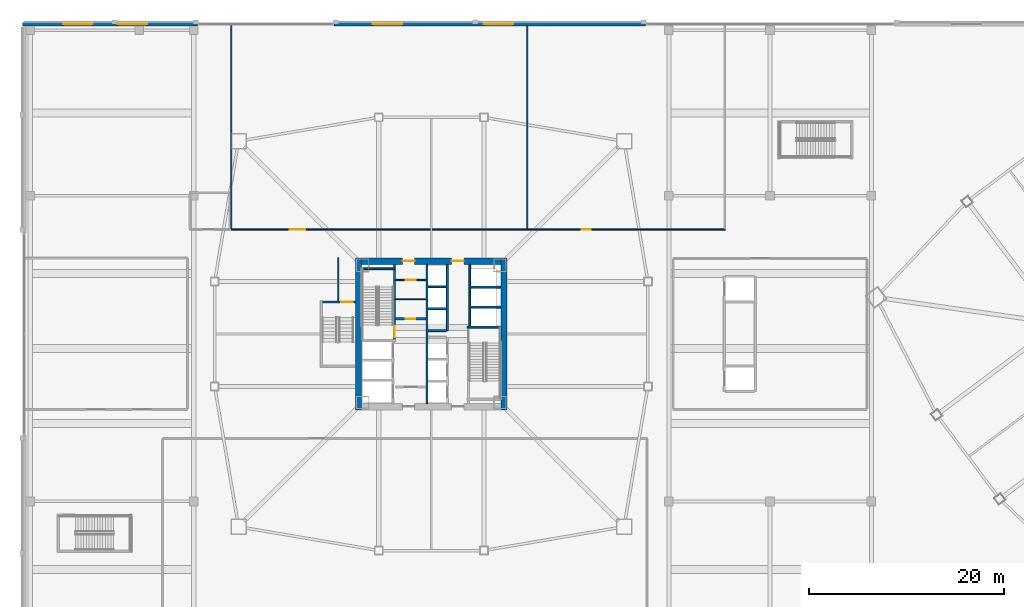
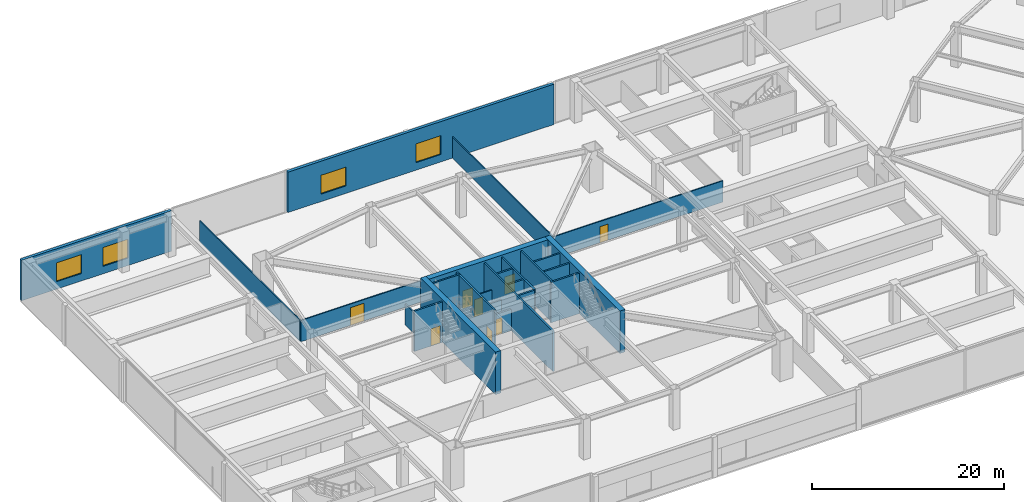
# One storey, part 35 of 48: 24 walls, 8 doors, 4 windows, 12 openings.
"""IFC4 building model written with IfcOpenShell, lengths in metres."""

from ifc_helpers import new_model, si_unit, direction, frame, frame_2d, origin, place, context, subcontext, project, spatial, rectangle, extrude, material, layer, layer_set, type_object, element, fill, save


model = new_model("IFC4")

# Units and contexts
model_context = context("Model", 3, precision=1e-05, world=origin(), true_north=direction((0.0, 1.0)))
body_context = subcontext(model_context, "Body", "Model", "MODEL_VIEW")
ifc_project = project(units=[si_unit("LENGTHUNIT", "METRE"), si_unit("AREAUNIT", "SQUARE_METRE"), si_unit("VOLUMEUNIT", "CUBIC_METRE"), si_unit("PLANEANGLEUNIT", "RADIAN"), si_unit("MASSUNIT", "GRAM", prefix="KILO")], contexts=[model_context])

# Site, building, storey
site_placement = place(None, origin())
site = spatial("IfcSite", under=ifc_project, at=site_placement, CompositionType="ELEMENT")
building_placement = place(site_placement, origin())
building = spatial("IfcBuilding", under=site, at=building_placement, Name="Tashvorn Skyway Center", CompositionType="ELEMENT")
storey_placement = place(building_placement, frame((0.0, 0.0, 10.199951171875)))
storey = spatial("IfcBuildingStorey", under=building, at=storey_placement, Name="L02", CompositionType="ELEMENT", Elevation=10.199951171875)

# Walls
ifc_material_1 = material(Name="Concrete C60/75", Category="concrete")
ifc_layer_1 = layer(ifc_material_1, 0.64990234375)
ifc_layer_set_1 = layer_set([ifc_layer_1], Name="Concrete C60/75")
wall_type_1 = type_object("IfcWallType", Name="WALL-CORE-650", PredefinedType="SHEAR", material=ifc_layer_set_1)
for number, where, z_axis, x_axis, name in (
    (1, (34.52490234375, 24.199951171875, 0.0), (0.0, 0.0, 1.0), (0.0, 1.0, 0.0), "Tower 1 L02 West Core Shear Wall"),
    (2, (49.47509765625, 39.800048828125, 0.0), (0.0, 0.0, 1.0), (0.0, -1.0, 0.0), "Tower 1 L02 East Core Shear Wall"),
):
    element("IfcWall", number, at=place(storey_placement, frame(where, z_axis=z_axis, x_axis=x_axis)), inside=storey, type_object=wall_type_1, Name=name, PredefinedType="SHEAR", context=body_context, shape_type="SweptSolid", body=[
        extrude(rectangle(XDim=15.60009765625, YDim=0.64990234375, at=frame_2d((7.800048828125, 0.0))), origin(), (0.0, 0.0, 1.0), 5.400146484375),
    ])

# Wall, openings, doors
wall_1_placement = place(storey_placement, frame((34.85009765625, 39.47509765625, 0.0), z_axis=(0.0, 0.0, 1.0), x_axis=(1.0, 0.0, 0.0)))
wall_1 = element("IfcWall", 3, at=wall_1_placement, inside=storey, type_object=wall_type_1, Name="Tower 1 L02 North Core Shear Wall", PredefinedType="SHEAR", context=body_context, shape_type="SweptSolid", body=[
    extrude(rectangle(XDim=14.2998046875, YDim=0.64990234375, at=frame_2d((7.14990234375, 0.0))), origin(), (0.0, 0.0, 1.0), 5.400146484375),
])
opening_1_placement = place(wall_1_placement, frame((4.199951171875, 0.0, 0.0)))
opening_1 = element("IfcOpeningElement", 4, at=opening_1_placement, cuts=wall_1, Name="Opening D-FFL-1250", PredefinedType="OPENING", context=body_context, shape_type="SweptSolid", body=[
    extrude(rectangle(XDim=1.25, YDim=2.25, at=frame_2d((0.625, 1.125))), frame((0.0, 0.3349609375, 0.0), z_axis=(0.0, -1.0, 0.0), x_axis=(1.0, 0.0, 0.0)), (0.0, 0.0, 1.0), 0.669921875),
])
opening_2_placement = place(wall_1_placement, frame((9.25, 0.0, 0.0)))
opening_2 = element("IfcOpeningElement", 5, at=opening_2_placement, cuts=wall_1, Name="Opening D-FFL-1250", PredefinedType="OPENING", context=body_context, shape_type="SweptSolid", body=[
    extrude(rectangle(XDim=1.25, YDim=2.25, at=frame_2d((0.625, 1.125))), frame((0.0, 0.3349609375, 0.0), z_axis=(0.0, -1.0, 0.0), x_axis=(1.0, 0.0, 0.0)), (0.0, 0.0, 1.0), 0.669921875),
])
ifc_material_2 = material(Name="Hollow galvanized steel fire door assembly", Category="steel")
door_type_1 = type_object("IfcDoorType", Name="DOOR-FFL-1250", OperationType="NOTDEFINED", PredefinedType="DOOR", material=ifc_material_2)
door_1_placement = place(opening_1_placement, origin())
door_1 = element("IfcDoor", 6, at=door_1_placement, inside=storey, type_object=door_type_1, Name="Tower 1 L02 Core North Service Lobby Door", OperationType="SINGLE_SWING_LEFT", OverallHeight=2.25, OverallWidth=1.25, PredefinedType="DOOR", context=body_context, shape_type="SweptSolid", body=[
    extrude(rectangle(XDim=1.25, YDim=2.25, at=frame_2d((0.625, 1.125))), frame((0.0, 0.02490234375, 0.0), z_axis=(0.0, -1.0, 0.0), x_axis=(1.0, 0.0, 0.0)), (0.0, 0.0, 1.0), 0.050048828125),
])
fill(opening_1, door_1)
door_2_placement = place(opening_2_placement, origin())
door_2 = element("IfcDoor", 7, at=door_2_placement, inside=storey, type_object=door_type_1, Name="Tower 1 L02 Core North Lift Lobby Door", OperationType="SINGLE_SWING_RIGHT", OverallHeight=2.25, OverallWidth=1.25, PredefinedType="DOOR", context=body_context, shape_type="SweptSolid", body=[
    extrude(rectangle(XDim=1.25, YDim=2.25, at=frame_2d((0.625, 1.125))), frame((0.0, 0.02490234375, 0.0), z_axis=(0.0, -1.0, 0.0), x_axis=(1.0, 0.0, 0.0)), (0.0, 0.0, 1.0), 0.050048828125),
])
fill(opening_2, door_2)

# Wall, openings, windows
ifc_material_3 = material(Name="Precast concrete C40/50", Category="concrete")
ifc_layer_2 = layer(ifc_material_3, 0.35009765625)
ifc_layer_set_2 = layer_set([ifc_layer_2], Name="Precast concrete C40/50")
wall_type_2 = type_object("IfcWallType", Name="WALL-EXT-350", PredefinedType="SOLIDWALL", material=ifc_layer_set_2)
wall_2_placement = place(storey_placement, frame((0.0, 63.824951171875, 0.0), z_axis=(0.0, 0.0, 1.0), x_axis=(1.0, 0.0, 0.0)))
wall_2 = element("IfcWall", 8, at=wall_2_placement, inside=storey, type_object=wall_type_2, Name="L02 North Postmodern Pier Wall W1", PredefinedType="SOLIDWALL", context=body_context, shape_type="SweptSolid", body=[
    extrude(rectangle(XDim=18.0, YDim=0.35009765625, at=frame_2d((9.0, 0.0))), origin(), (0.0, 0.0, 1.0), 5.14013671875),
])
opening_3_placement = place(wall_2_placement, frame((4.199951171875, 0.0, 0.949951171875)))
opening_3 = element("IfcOpeningElement", 9, at=opening_3_placement, cuts=wall_2, Name="Opening WIN-3000", PredefinedType="OPENING", context=body_context, shape_type="SweptSolid", body=[
    extrude(rectangle(XDim=3.0, YDim=2.39990234375, at=frame_2d((1.5, 1.199951171875))), frame((0.0, 0.18505859375, 0.0), z_axis=(0.0, -1.0, 0.0), x_axis=(1.0, 0.0, 0.0)), (0.0, 0.0, 1.0), 0.3701171875),
])
opening_4_placement = place(wall_2_placement, frame((9.800048828125, 0.0, 0.949951171875)))
opening_4 = element("IfcOpeningElement", 10, at=opening_4_placement, cuts=wall_2, Name="Opening WIN-3000", PredefinedType="OPENING", context=body_context, shape_type="SweptSolid", body=[
    extrude(rectangle(XDim=3.0, YDim=2.39990234375, at=frame_2d((1.5, 1.199951171875))), frame((0.0, 0.18505859375, 0.0), z_axis=(0.0, -1.0, 0.0), x_axis=(1.0, 0.0, 0.0)), (0.0, 0.0, 1.0), 0.3701171875),
])
ifc_material_4 = material(Name="Low-E solar-control double insulating safety glass", Category="glass")
window_type = type_object("IfcWindowType", Name="WIN-POD-3000", PartitioningType="SINGLE_PANEL", PredefinedType="WINDOW", material=ifc_material_4)
window_1_placement = place(opening_3_placement, origin())
window_1 = element("IfcWindow", 11, at=window_1_placement, inside=storey, type_object=window_type, Name="L02 North Station Pier Window 01", OverallHeight=2.39990234375, OverallWidth=3.0, PartitioningType="SINGLE_PANEL", PredefinedType="WINDOW", context=body_context, shape_type="SweptSolid", body=[
    extrude(rectangle(XDim=3.0, YDim=2.39990234375, at=frame_2d((1.5, 1.199951171875))), frame((0.0, 0.030029296875, 0.0), z_axis=(0.0, -1.0, 0.0), x_axis=(1.0, 0.0, 0.0)), (0.0, 0.0, 1.0), 0.06005859375),
])
fill(opening_3, window_1)
window_2_placement = place(opening_4_placement, origin())
window_2 = element("IfcWindow", 12, at=window_2_placement, inside=storey, type_object=window_type, Name="L02 North Station Pier Window 02", OverallHeight=2.39990234375, OverallWidth=3.0, PartitioningType="SINGLE_PANEL", PredefinedType="WINDOW", context=body_context, shape_type="SweptSolid", body=[
    extrude(rectangle(XDim=3.0, YDim=2.39990234375, at=frame_2d((1.5, 1.199951171875))), frame((0.0, 0.030029296875, 0.0), z_axis=(0.0, -1.0, 0.0), x_axis=(1.0, 0.0, 0.0)), (0.0, 0.0, 1.0), 0.06005859375),
])
fill(opening_4, window_2)

wall_3_placement = place(storey_placement, frame((32.0, 63.824951171875, 0.0), z_axis=(0.0, 0.0, 1.0), x_axis=(1.0, 0.0, 0.0)))
wall_3 = element("IfcWall", 13, at=wall_3_placement, inside=storey, type_object=wall_type_2, Name="L02 North Postmodern Pier Wall M1", PredefinedType="SOLIDWALL", context=body_context, shape_type="SweptSolid", body=[
    extrude(rectangle(XDim=32.0, YDim=0.35009765625, at=frame_2d((16.0, 0.0))), origin(), (0.0, 0.0, 1.0), 5.14013671875),
])
opening_5_placement = place(wall_3_placement, frame((4.0, 0.0, 0.949951171875)))
opening_5 = element("IfcOpeningElement", 14, at=opening_5_placement, cuts=wall_3, Name="Opening WIN-3000", PredefinedType="OPENING", context=body_context, shape_type="SweptSolid", body=[
    extrude(rectangle(XDim=3.0, YDim=2.39990234375, at=frame_2d((1.5, 1.199951171875))), frame((0.0, 0.18505859375, 0.0), z_axis=(0.0, -1.0, 0.0), x_axis=(1.0, 0.0, 0.0)), (0.0, 0.0, 1.0), 0.3701171875),
])
opening_6_placement = place(wall_3_placement, frame((15.39990234375, 0.0, 0.949951171875)))
opening_6 = element("IfcOpeningElement", 15, at=opening_6_placement, cuts=wall_3, Name="Opening WIN-3000", PredefinedType="OPENING", context=body_context, shape_type="SweptSolid", body=[
    extrude(rectangle(XDim=3.0, YDim=2.39990234375, at=frame_2d((1.5, 1.199951171875))), frame((0.0, 0.18505859375, 0.0), z_axis=(0.0, -1.0, 0.0), x_axis=(1.0, 0.0, 0.0)), (0.0, 0.0, 1.0), 0.3701171875),
])
window_3_placement = place(opening_5_placement, origin())
window_3 = element("IfcWindow", 16, at=window_3_placement, inside=storey, type_object=window_type, Name="L02 North Station Pier Window 03", OverallHeight=2.39990234375, OverallWidth=3.0, PartitioningType="SINGLE_PANEL", PredefinedType="WINDOW", context=body_context, shape_type="SweptSolid", body=[
    extrude(rectangle(XDim=3.0, YDim=2.39990234375, at=frame_2d((1.5, 1.199951171875))), frame((0.0, 0.030029296875, 0.0), z_axis=(0.0, -1.0, 0.0), x_axis=(1.0, 0.0, 0.0)), (0.0, 0.0, 1.0), 0.06005859375),
])
fill(opening_5, window_3)
window_4_placement = place(opening_6_placement, origin())
window_4 = element("IfcWindow", 17, at=window_4_placement, inside=storey, type_object=window_type, Name="L02 North Station Pier Window 04", OverallHeight=2.39990234375, OverallWidth=3.0, PartitioningType="SINGLE_PANEL", PredefinedType="WINDOW", context=body_context, shape_type="SweptSolid", body=[
    extrude(rectangle(XDim=3.0, YDim=2.39990234375, at=frame_2d((1.5, 1.199951171875))), frame((0.0, 0.030029296875, 0.0), z_axis=(0.0, -1.0, 0.0), x_axis=(1.0, 0.0, 0.0)), (0.0, 0.0, 1.0), 0.06005859375),
])
fill(opening_6, window_4)

# Wall, opening, door
ifc_material_5 = material(Name="Concrete C40/50", Category="concrete")
ifc_layer_3 = layer(ifc_material_5, 0.219970703125)
ifc_layer_set_3 = layer_set([ifc_layer_3], Name="Concrete C40/50")
wall_type_3 = type_object("IfcWallType", Name="WALL-FFL-220", PredefinedType="SOLIDWALL", material=ifc_layer_set_3)
wall_4_placement = place(storey_placement, frame((38.300048828125, 33.56005859375, 0.0), z_axis=(0.0, 0.0, 1.0), x_axis=(1.0, 0.0, 0.0)))
wall_4 = element("IfcWall", 18, at=wall_4_placement, inside=storey, type_object=wall_type_3, Name="Tower 1 L02 Firefighting Lobby North Wall", PredefinedType="SOLIDWALL", context=body_context, shape_type="SweptSolid", body=[
    extrude(rectangle(XDim=3.14990234375, YDim=0.219970703125, at=frame_2d((1.574951171875, 0.0))), origin(), (0.0, 0.0, 1.0), 2.7099609375),
])
opening_7_placement = place(wall_4_placement, frame((1.10009765625, 0.0, 0.0)))
opening_7 = element("IfcOpeningElement", 19, at=opening_7_placement, cuts=wall_4, Name="Opening D-RT-950", PredefinedType="OPENING", context=body_context, shape_type="SweptSolid", body=[
    extrude(rectangle(XDim=0.949951171875, YDim=2.050048828125, at=frame_2d((0.47509765625, 1.02490234375))), frame((0.0, 0.119873046875, 0.0), z_axis=(0.0, -1.0, 0.0), x_axis=(1.0, 0.0, 0.0)), (0.0, 0.0, 1.0), 0.239990234375),
])
door_type_2 = type_object("IfcDoorType", Name="DOOR-RATED-950", OperationType="NOTDEFINED", PredefinedType="DOOR", material=ifc_material_2)
door_3_placement = place(opening_7_placement, origin())
door_3 = element("IfcDoor", 20, at=door_3_placement, inside=storey, type_object=door_type_2, Name="Tower 1 L02 Core Linen Store Door", OperationType="SINGLE_SWING_LEFT", OverallHeight=2.050048828125, OverallWidth=0.949951171875, PredefinedType="DOOR", context=body_context, shape_type="SweptSolid", body=[
    extrude(rectangle(XDim=0.949951171875, YDim=2.050048828125, at=frame_2d((0.47509765625, 1.02490234375))), frame((0.0, 0.02490234375, 0.0), z_axis=(0.0, -1.0, 0.0), x_axis=(1.0, 0.0, 0.0)), (0.0, 0.0, 1.0), 0.050048828125),
])
fill(opening_7, door_3)

# Wall
ifc_material_6 = material(Name="Gypsum board on cold-formed steel stud framing", Category="steel")
ifc_layer_4 = layer(ifc_material_6, 0.135009765625)
ifc_layer_set_4 = layer_set([ifc_layer_4], Name="Gypsum board on cold-formed steel stud framing")
wall_type_4 = type_object("IfcWallType", Name="WALL-PART-135", PredefinedType="PARTITIONING", material=ifc_layer_set_4)
wall_5_placement = place(storey_placement, frame((32.449951171875, 35.39990234375, 0.0), z_axis=(0.0, 0.0, 1.0), x_axis=(0.0, 1.0, 0.0)))
element("IfcWall", 21, at=wall_5_placement, inside=storey, type_object=wall_type_4, Name="Tower 1 L02 Stair 3 Access Corridor Wall", PredefinedType="PARTITIONING", context=body_context, shape_type="SweptSolid", body=[
    extrude(rectangle(XDim=4.4501953125, YDim=0.135009765625, at=frame_2d((2.22509765625, 0.0))), origin(), (0.0, 0.0, 1.0), 2.7099609375),
])

# Wall, openings, doors
wall_6_placement = place(storey_placement, frame((21.449951171875, 42.719970703125, 0.0), z_axis=(0.0, 0.0, 1.0), x_axis=(1.0, 0.0, 0.0)))
wall_6 = element("IfcWall", 22, at=wall_6_placement, inside=storey, type_object=wall_type_4, Name="L02 North Suite Corridor Wall", PredefinedType="PARTITIONING", context=body_context, shape_type="SweptSolid", body=[
    extrude(rectangle(XDim=50.75, YDim=0.135009765625, at=frame_2d((25.375, 0.0))), origin(), (0.0, 0.0, 1.0), 2.7099609375),
])
opening_8_placement = place(wall_6_placement, frame((6.0, 0.0, 0.0)))
opening_8 = element("IfcOpeningElement", 23, at=opening_8_placement, cuts=wall_6, Name="Opening D-DBL-1600", PredefinedType="OPENING", context=body_context, shape_type="SweptSolid", body=[
    extrude(rectangle(XDim=1.60009765625, YDim=2.25, at=frame_2d((0.800048828125, 1.125))), frame((0.0, 0.077392578125, 0.0), z_axis=(0.0, -1.0, 0.0), x_axis=(1.0, 0.0, 0.0)), (0.0, 0.0, 1.0), 0.155029296875),
])
opening_9_placement = place(wall_6_placement, frame((36.0, 0.0, 0.0)))
opening_9 = element("IfcOpeningElement", 24, at=opening_9_placement, cuts=wall_6, Name="Opening D-INT-950", PredefinedType="OPENING", context=body_context, shape_type="SweptSolid", body=[
    extrude(rectangle(XDim=0.949951171875, YDim=2.050048828125, at=frame_2d((0.47509765625, 1.02490234375))), frame((0.0, 0.077392578125, 0.0), z_axis=(0.0, -1.0, 0.0), x_axis=(1.0, 0.0, 0.0)), (0.0, 0.0, 1.0), 0.155029296875),
])
ifc_material_7 = material(Name="Anodized aluminium and tempered safety glass", Category="aluminium")
door_type_3 = type_object("IfcDoorType", Name="DOOR-DBL-1600", OperationType="DOUBLE_DOOR_SINGLE_SWING", PredefinedType="DOOR", material=ifc_material_7)
door_4_placement = place(opening_8_placement, origin())
door_4 = element("IfcDoor", 25, at=door_4_placement, inside=storey, type_object=door_type_3, Name="L02 Conference Hall Entrance", OperationType="DOUBLE_DOOR_SINGLE_SWING", OverallHeight=2.25, OverallWidth=1.60009765625, PredefinedType="DOOR", context=body_context, shape_type="SweptSolid", body=[
    extrude(rectangle(XDim=1.60009765625, YDim=2.25, at=frame_2d((0.800048828125, 1.125))), frame((0.0, 0.02490234375, 0.0), z_axis=(0.0, -1.0, 0.0), x_axis=(1.0, 0.0, 0.0)), (0.0, 0.0, 1.0), 0.050048828125),
])
fill(opening_8, door_4)
ifc_material_8 = material(Name="Solid-core architectural oak veneer door")
door_type_4 = type_object("IfcDoorType", Name="DOOR-INT-950", OperationType="NOTDEFINED", PredefinedType="DOOR", material=ifc_material_8)
door_5_placement = place(opening_9_placement, origin())
door_5 = element("IfcDoor", 26, at=door_5_placement, inside=storey, type_object=door_type_4, Name="L02 Catering Kitchen Door", OperationType="SINGLE_SWING_LEFT", OverallHeight=2.050048828125, OverallWidth=0.949951171875, PredefinedType="DOOR", context=body_context, shape_type="SweptSolid", body=[
    extrude(rectangle(XDim=0.949951171875, YDim=2.050048828125, at=frame_2d((0.47509765625, 1.02490234375))), frame((0.0, 0.02490234375, 0.0), z_axis=(0.0, -1.0, 0.0), x_axis=(1.0, 0.0, 0.0)), (0.0, 0.0, 1.0), 0.050048828125),
])
fill(opening_9, door_5)

# Walls
for number, where, z_axis, x_axis, name in (
    (27, (21.449951171875, 42.800048828125, 0.0), (0.0, 0.0, 1.0), (0.0, 1.0, 0.0), "L02 Conference Hall West Wall"),
    (28, (51.85009765625, 42.800048828125, 0.0), (0.0, 0.0, 1.0), (0.0, 1.0, 0.0), "L02 Kitchen West Partition"),
):
    element("IfcWall", number, at=place(storey_placement, frame(where, z_axis=z_axis, x_axis=x_axis)), inside=storey, type_object=wall_type_4, Name=name, PredefinedType="PARTITIONING", context=body_context, shape_type="SweptSolid", body=[
        extrude(rectangle(XDim=20.849853515625, YDim=0.135009765625, at=frame_2d((10.4248046875, 0.0))), origin(), (0.0, 0.0, 1.0), 2.7099609375),
    ])
ifc_layer_5 = layer(ifc_material_6, 0.110107421875)
ifc_layer_set_5 = layer_set([ifc_layer_5], Name="Gypsum board on cold-formed steel stud framing")
wall_type_5 = type_object("IfcWallType", Name="WALL-RATED-110", PredefinedType="PARTITIONING", material=ifc_layer_set_5)
wall_7_placement = place(storey_placement, frame((38.300048828125, 35.550048828125, 0.0), z_axis=(0.0, 0.0, 1.0), x_axis=(1.0, 0.0, 0.0)))
element("IfcWall", 29, at=wall_7_placement, inside=storey, type_object=wall_type_5, Name="Tower 1 L02 Core Transverse Wall", PredefinedType="PARTITIONING", context=body_context, shape_type="SweptSolid", body=[
    extrude(rectangle(XDim=3.14990234375, YDim=0.110107421875, at=frame_2d((1.574951171875, 0.0))), origin(), (0.0, 0.0, 1.0), 2.7099609375),
])

# Wall, opening, door
ifc_layer_6 = layer(ifc_material_6, 0.135009765625)
ifc_layer_set_6 = layer_set([ifc_layer_6], Name="Gypsum board on cold-formed steel stud framing")
wall_type_6 = type_object("IfcWallType", Name="WALL-RATED-135", PredefinedType="PARTITIONING", material=ifc_layer_set_6)
wall_8_placement = place(storey_placement, frame((38.300048828125, 37.550048828125, 0.0), z_axis=(0.0, 0.0, 1.0), x_axis=(1.0, 0.0, 0.0)))
wall_8 = element("IfcWall", 30, at=wall_8_placement, inside=storey, type_object=wall_type_6, Name="Tower 1 L02 Core Service Lobby Wall", PredefinedType="PARTITIONING", context=body_context, shape_type="SweptSolid", body=[
    extrude(rectangle(XDim=3.14990234375, YDim=0.135009765625, at=frame_2d((1.574951171875, 0.0))), origin(), (0.0, 0.0, 1.0), 2.7099609375),
])
opening_10_placement = place(wall_8_placement, frame((1.050048828125, 0.0, 0.0)))
opening_10 = element("IfcOpeningElement", 31, at=opening_10_placement, cuts=wall_8, Name="Opening D-RT-1050", PredefinedType="OPENING", context=body_context, shape_type="SweptSolid", body=[
    extrude(rectangle(XDim=1.050048828125, YDim=2.199951171875, at=frame_2d((0.52490234375, 1.10009765625))), frame((0.0, 0.077392578125, 0.0), z_axis=(0.0, -1.0, 0.0), x_axis=(1.0, 0.0, 0.0)), (0.0, 0.0, 1.0), 0.155029296875),
])
door_type_5 = type_object("IfcDoorType", Name="DOOR-RATED-1050", OperationType="NOTDEFINED", PredefinedType="DOOR", material=ifc_material_2)
door_6_placement = place(opening_10_placement, origin())
door_6 = element("IfcDoor", 32, at=door_6_placement, inside=storey, type_object=door_type_5, Name="Tower 1 L02 Core Accessible WC Door", OperationType="SINGLE_SWING_RIGHT", OverallHeight=2.199951171875, OverallWidth=1.050048828125, PredefinedType="DOOR", context=body_context, shape_type="SweptSolid", body=[
    extrude(rectangle(XDim=1.050048828125, YDim=2.199951171875, at=frame_2d((0.52490234375, 1.10009765625))), frame((0.0, 0.02490234375, 0.0), z_axis=(0.0, -1.0, 0.0), x_axis=(1.0, 0.0, 0.0)), (0.0, 0.0, 1.0), 0.050048828125),
])
fill(opening_10, door_6)

# Walls
ifc_layer_7 = layer(ifc_material_5, 0.199951171875)
ifc_layer_set_7 = layer_set([ifc_layer_7], Name="Concrete C40/50")
wall_type_7 = type_object("IfcWallType", Name="WALL-SHAFT-200", PredefinedType="SOLIDWALL", material=ifc_layer_set_7)
for number, where, z_axis, x_axis, name in (
    (33, (46.050048828125, 34.75, 0.0), (0.0, 0.0, 1.0), (1.0, 0.0, 0.0), "Tower 1 L02 High-Rise Shaft Divider"),
    (34, (46.050048828125, 36.800048828125, 0.0), (0.0, 0.0, 1.0), (1.0, 0.0, 0.0), "Tower 1 L02 High-Rise Shaft Divider"),
):
    element("IfcWall", number, at=place(storey_placement, frame(where, z_axis=z_axis, x_axis=x_axis)), inside=storey, type_object=wall_type_7, Name=name, PredefinedType="SOLIDWALL", context=body_context, shape_type="SweptSolid", body=[
        extrude(rectangle(XDim=3.099853515625, YDim=0.199951171875, at=frame_2d((1.5498046875, 0.0))), origin(), (0.0, 0.0, 1.0), 5.14013671875),
    ])
wall_9_placement = place(storey_placement, frame((43.64990234375, 32.35009765625, 0.0), z_axis=(0.0, 0.0, 1.0), x_axis=(0.0, 1.0, 0.0)))
element("IfcWall", 35, at=wall_9_placement, inside=storey, type_object=wall_type_7, Name="Tower 1 L02 Mid-Rise Core Wall", PredefinedType="SOLIDWALL", context=body_context, shape_type="SweptSolid", body=[
    extrude(rectangle(XDim=6.7998046875, YDim=0.199951171875, at=frame_2d((3.39990234375, 0.0))), origin(), (0.0, 0.0, 1.0), 5.14013671875),
])
for number, where, z_axis, x_axis, name in (
    (36, (41.669921875, 32.35009765625, 0.0), (0.0, 0.0, 1.0), (1.0, 0.0, 0.0), "Tower 1 L02 Mid-Rise Shaft Divider"),
    (37, (41.669921875, 34.60009765625, 0.0), (0.0, 0.0, 1.0), (1.0, 0.0, 0.0), "Tower 1 L02 Mid-Rise Shaft Divider"),
    (38, (41.669921875, 36.85009765625, 0.0), (0.0, 0.0, 1.0), (1.0, 0.0, 0.0), "Tower 1 L02 Mid-Rise Shaft Divider"),
):
    element("IfcWall", number, at=place(storey_placement, frame(where, z_axis=z_axis, x_axis=x_axis)), inside=storey, type_object=wall_type_7, Name=name, PredefinedType="SOLIDWALL", context=body_context, shape_type="SweptSolid", body=[
        extrude(rectangle(XDim=1.880126953125, YDim=0.199951171875, at=frame_2d((0.93994140625, 0.0))), origin(), (0.0, 0.0, 1.0), 5.14013671875),
    ])

# Wall, opening, door
ifc_layer_8 = layer(ifc_material_5, 0.199951171875)
ifc_layer_set_8 = layer_set([ifc_layer_8], Name="Concrete C40/50")
wall_type_8 = type_object("IfcWallType", Name="WALL-STSHF-200", PredefinedType="SHEAR", material=ifc_layer_set_8)
wall_10_placement = place(storey_placement, frame((38.199951171875, 31.199951171875, 0.0), z_axis=(0.0, 0.0, 1.0), x_axis=(0.0, 1.0, 0.0)))
wall_10 = element("IfcWall", 39, at=wall_10_placement, inside=storey, type_object=wall_type_8, Name="Tower 1 L02 Stair 1 Enclosure Wall", PredefinedType="SHEAR", context=body_context, shape_type="SweptSolid", body=[
    extrude(rectangle(XDim=7.949951171875, YDim=0.199951171875, at=frame_2d((3.97509765625, 0.0))), origin(), (0.0, 0.0, 1.0), 5.14013671875),
])
opening_11_placement = place(wall_10_placement, frame((0.449951171875, 0.0, 0.0)))
opening_11 = element("IfcOpeningElement", 40, at=opening_11_placement, cuts=wall_10, Name="Opening D-ST-1150", PredefinedType="OPENING", context=body_context, shape_type="SweptSolid", body=[
    extrude(rectangle(XDim=1.14990234375, YDim=2.199951171875, at=frame_2d((0.574951171875, 1.10009765625))), frame((0.0, 0.10986328125, 0.0), z_axis=(0.0, -1.0, 0.0), x_axis=(1.0, 0.0, 0.0)), (0.0, 0.0, 1.0), 0.219970703125),
])
door_type_6 = type_object("IfcDoorType", Name="DOOR-STAIR-1150", OperationType="NOTDEFINED", PredefinedType="DOOR", material=ifc_material_2)
door_7_placement = place(opening_11_placement, origin())
door_7 = element("IfcDoor", 41, at=door_7_placement, inside=storey, type_object=door_type_6, Name="Tower 1 L02 Exit Stair 1 Door", OperationType="SINGLE_SWING_RIGHT", OverallHeight=2.199951171875, OverallWidth=1.14990234375, PredefinedType="DOOR", context=body_context, shape_type="SweptSolid", body=[
    extrude(rectangle(XDim=1.14990234375, YDim=2.199951171875, at=frame_2d((0.574951171875, 1.10009765625))), frame((0.0, 0.02490234375, 0.0), z_axis=(0.0, -1.0, 0.0), x_axis=(1.0, 0.0, 0.0)), (0.0, 0.0, 1.0), 0.050048828125),
])
fill(opening_11, door_7)

# Walls
for number, where, z_axis, x_axis, name in (
    (42, (34.85009765625, 38.699951171875, 0.0), (0.0, 0.0, 1.0), (1.0, 0.0, 0.0), "Tower 1 L02 Stair 1 North Wall"),
    (43, (45.699951171875, 32.699951171875, 0.0), (0.0, 0.0, 1.0), (1.0, 0.0, 0.0), "Tower 1 L02 Stair 2 North Wall"),
):
    element("IfcWall", number, at=place(storey_placement, frame(where, z_axis=z_axis, x_axis=x_axis)), inside=storey, type_object=wall_type_8, Name=name, PredefinedType="SHEAR", context=body_context, shape_type="SweptSolid", body=[
        extrude(rectangle(XDim=3.449951171875, YDim=0.199951171875, at=frame_2d((1.72509765625, 0.0))), origin(), (0.0, 0.0, 1.0), 5.14013671875),
    ])
wall_11_placement = place(storey_placement, frame((41.56005859375, 24.85009765625, 0.0), z_axis=(0.0, 0.0, 1.0), x_axis=(0.0, 1.0, 0.0)))
element("IfcWall", 44, at=wall_11_placement, inside=storey, type_object=wall_type_8, Name="Tower 1 L02 Firefighting Lobby East Smoke Barrier", PredefinedType="SHEAR", context=body_context, shape_type="SweptSolid", body=[
    extrude(rectangle(XDim=14.2998046875, YDim=0.199951171875, at=frame_2d((7.14990234375, 0.0))), origin(), (0.0, 0.0, 1.0), 5.14013671875),
])
wall_12_placement = place(storey_placement, frame((45.949951171875, 39.14990234375, 0.0), z_axis=(0.0, 0.0, 1.0), x_axis=(0.0, -1.0, 0.0)))
element("IfcWall", 45, at=wall_12_placement, inside=storey, type_object=wall_type_8, Name="Tower 1 L02 High-Rise Lift Shaft Front Wall", PredefinedType="SHEAR", context=body_context, shape_type="SweptSolid", body=[
    extrude(rectangle(XDim=6.349853515625, YDim=0.199951171875, at=frame_2d((3.1748046875, 0.0))), origin(), (0.0, 0.0, 1.0), 5.14013671875),
])

# Wall, opening, door
wall_13_placement = place(storey_placement, frame((34.199951171875, 35.300048828125, 0.0), z_axis=(0.0, 0.0, 1.0), x_axis=(-1.0, 0.0, 0.0)))
wall_13 = element("IfcWall", 46, at=wall_13_placement, inside=storey, type_object=wall_type_8, Name="Tower 1 L02 Stair 3 Enclosure Wall", PredefinedType="SHEAR", context=body_context, shape_type="SweptSolid", body=[
    extrude(rectangle(XDim=3.39990234375, YDim=0.199951171875, at=frame_2d((1.699951171875, 0.0))), origin(), (0.0, 0.0, 1.0), 5.14013671875),
])
opening_12_placement = place(wall_13_placement, frame((0.27490234375, 0.0, 0.0)))
opening_12 = element("IfcOpeningElement", 47, at=opening_12_placement, cuts=wall_13, Name="Opening D-ST-1150", PredefinedType="OPENING", context=body_context, shape_type="SweptSolid", body=[
    extrude(rectangle(XDim=1.14990234375, YDim=2.199951171875, at=frame_2d((0.574951171875, 1.10009765625))), frame((0.0, 0.10986328125, 0.0), z_axis=(0.0, -1.0, 0.0), x_axis=(1.0, 0.0, 0.0)), (0.0, 0.0, 1.0), 0.219970703125),
])
door_8_placement = place(opening_12_placement, origin())
door_8 = element("IfcDoor", 48, at=door_8_placement, inside=storey, type_object=door_type_6, Name="Tower 1 L02 Exit Stair 3 Door", OperationType="SINGLE_SWING_RIGHT", OverallHeight=2.199951171875, OverallWidth=1.14990234375, PredefinedType="DOOR", context=body_context, shape_type="SweptSolid", body=[
    extrude(rectangle(XDim=1.14990234375, YDim=2.199951171875, at=frame_2d((0.574951171875, 1.10009765625))), frame((0.0, 0.02490234375, 0.0), z_axis=(0.0, -1.0, 0.0), x_axis=(1.0, 0.0, 0.0)), (0.0, 0.0, 1.0), 0.050048828125),
])
fill(opening_12, door_8)

save(model, "model.ifc")
